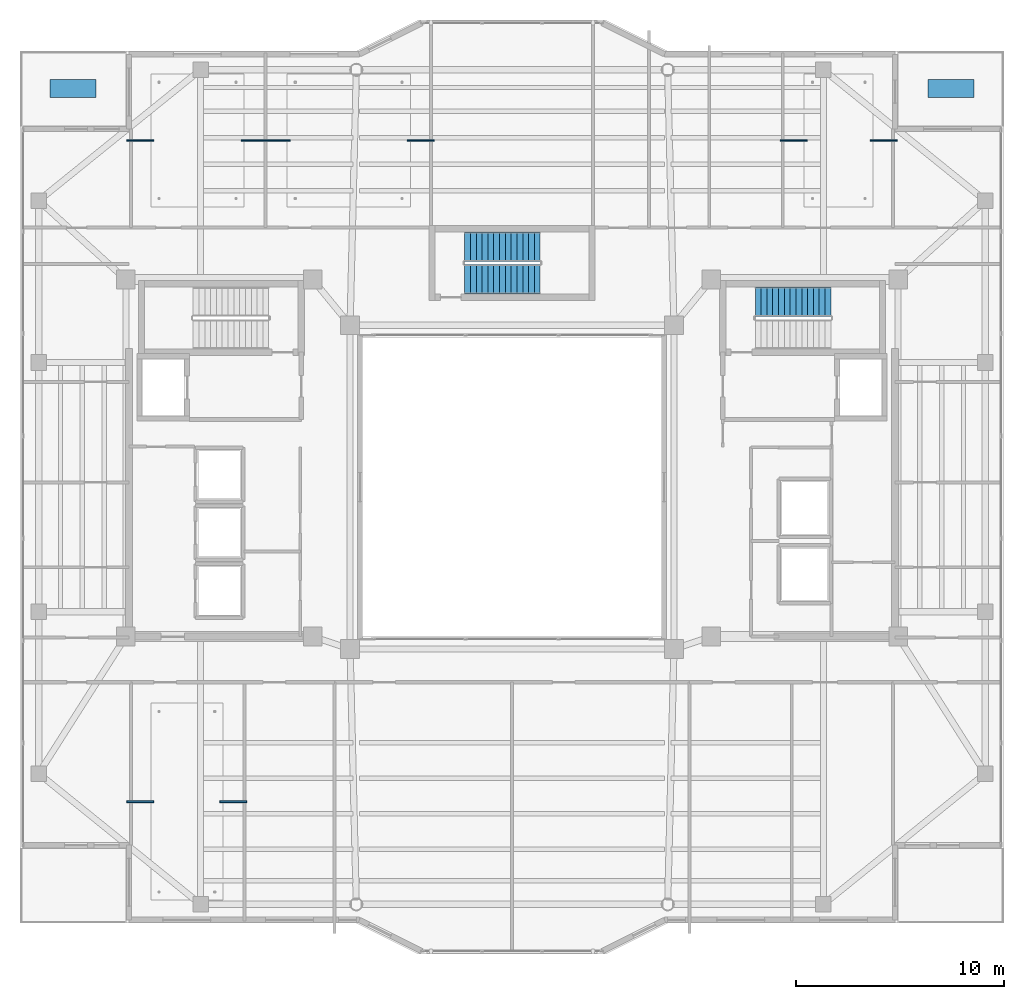
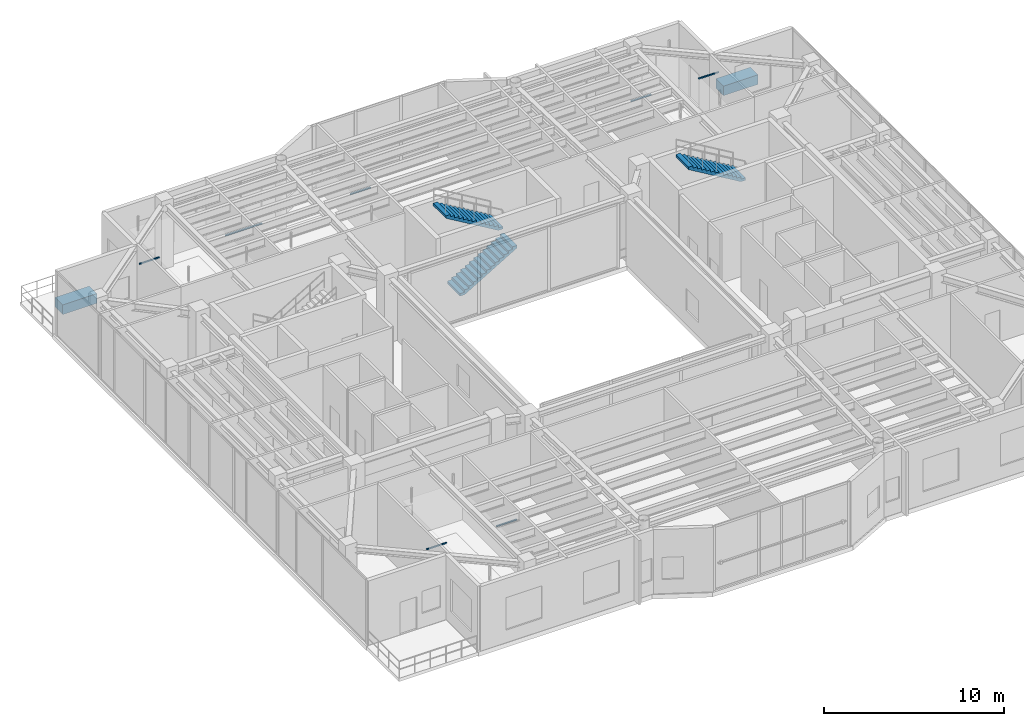
# One storey, part 27 of 34: 10 discrete accessories, 3 stair flights, 2 elements without a shape of their own.
"""IFC4 building model written with IfcOpenShell, lengths in metres."""

from ifc_helpers import new_model, si_unit, direction, frame, origin, origin_2d, place, context, subcontext, project, spatial, polyline, rectangle, outline, extrude, material, type_object, element, aggregate, save


model = new_model("IFC4")

# Units and contexts
model_context = context("Model", 3, precision=1e-05, world=origin(), true_north=direction((0.0, 1.0)))
body_context = subcontext(model_context, "Body", "Model", "MODEL_VIEW")
ifc_project = project(units=[si_unit("LENGTHUNIT", "METRE"), si_unit("AREAUNIT", "SQUARE_METRE"), si_unit("VOLUMEUNIT", "CUBIC_METRE"), si_unit("PLANEANGLEUNIT", "RADIAN"), si_unit("MASSUNIT", "GRAM", prefix="KILO")], contexts=[model_context])

# Site, building, storey
site_placement = place(None, origin())
site = spatial("IfcSite", under=ifc_project, at=site_placement, CompositionType="ELEMENT")
building_placement = place(site_placement, origin())
building = spatial("IfcBuilding", under=site, at=building_placement, Name="Tarnavaz Court Tower", CompositionType="ELEMENT")
storey_placement = place(building_placement, frame((0.0, 0.0, 231.75)))
storey = spatial("IfcBuildingStorey", under=building, at=storey_placement, Name="L63", CompositionType="ELEMENT", Elevation=231.75)

# Stair, stair flight
ifc_material_1 = material(Name="Concrete C40/50", Category="concrete")
stair_type = type_object("IfcStairType", Name="ST-TWR-28R", PredefinedType="HALF_TURN_STAIR", material=ifc_material_1)
stair_1_placement = place(storey_placement, origin())
stair_1 = element("IfcStair", 1, at=stair_1_placement, inside=storey, type_object=stair_type, Name="L63 East Core Pressurized Exit Stair ST-E1", PredefinedType="HALF_TURN_STAIR")
stair_flight_type = type_object("IfcStairFlightType", Name="SFL-RC-28R", PredefinedType="STRAIGHT", material=ifc_material_1)
stair_flight_1_placement = place(storey_placement, frame((15.360107421875, 8.929931640625, 2.324951171875), z_axis=(0.0, 0.0, 1.0), x_axis=(-1.0, 0.0, 0.0)))
stair_flight_1 = element("IfcStairFlight", 2, at=stair_flight_1_placement, type_object=stair_flight_type, Name="ST-E1 flight 2", NumberOfRisers=14, NumberOfTreads=13, PredefinedType="STRAIGHT", RiserHeight=0.166071429, TreadLength=0.28, context=body_context, shape_type="SweptSolid", body=[
    extrude(outline(polyline([(0.0, 0.0), (0.0, 0.166015625), (0.280029296875, 0.166015625), (0.280029296875, 0.33203125), (0.56005859375, 0.33203125), (0.56005859375, 0.498291015625), (0.840087890625, 0.498291015625), (0.840087890625, 0.664306640625), (1.1201171875, 0.664306640625), (1.1201171875, 0.830322265625), (1.39990234375, 0.830322265625), (1.39990234375, 0.996337890625), (1.679931640625, 0.996337890625), (1.679931640625, 1.16259765625), (1.9599609375, 1.16259765625), (1.9599609375, 1.32861328125), (2.239990234375, 1.32861328125), (2.239990234375, 1.49462890625), (2.52001953125, 1.49462890625), (2.52001953125, 1.66064453125), (2.800048828125, 1.66064453125), (2.800048828125, 1.826904296875), (3.080078125, 1.826904296875), (3.080078125, 1.992919921875), (3.360107421875, 1.992919921875), (3.360107421875, 2.158935546875), (3.639892578125, 2.158935546875), (3.639892578125, 2.324951171875), (3.639892578125, 1.984619140625), (0.2939453125, 0.0), (0.0, 0.0)])), frame((0.0, 0.7099609375, 0.0), z_axis=(0.0, -1.0, 0.0), x_axis=(1.0, 0.0, 0.0)), (0.0, 0.0, 1.0), 1.419921875),
])
aggregate(stair_1, [stair_flight_1])

# Stair, stair flights
stair_2_placement = place(storey_placement, origin())
stair_2 = element("IfcStair", 3, at=stair_2_placement, inside=storey, type_object=stair_type, Name="L63 North Ring Pressurized Exit Stair ST-N1", PredefinedType="HALF_TURN_STAIR")
stair_flight_2_placement = place(storey_placement, frame((-2.280029296875, 10.010009765625, 0.0), z_axis=(0.0, 0.0, 1.0), x_axis=(1.0, 0.0, 0.0)))
stair_flight_2 = element("IfcStairFlight", 4, at=stair_flight_2_placement, type_object=stair_flight_type, Name="ST-N1 flight 1", NumberOfRisers=14, NumberOfTreads=13, PredefinedType="STRAIGHT", RiserHeight=0.166071429, TreadLength=0.28, context=body_context, shape_type="SweptSolid", body=[
    extrude(outline(polyline([(0.0, 0.0), (0.0, 0.166015625), (0.280029296875, 0.166015625), (0.280029296875, 0.33203125), (0.56005859375, 0.33203125), (0.56005859375, 0.498291015625), (0.840087890625, 0.498291015625), (0.840087890625, 0.664306640625), (1.1201171875, 0.664306640625), (1.1201171875, 0.830322265625), (1.39990234375, 0.830322265625), (1.39990234375, 0.996337890625), (1.679931640625, 0.996337890625), (1.679931640625, 1.16259765625), (1.9599609375, 1.16259765625), (1.9599609375, 1.32861328125), (2.239990234375, 1.32861328125), (2.239990234375, 1.49462890625), (2.52001953125, 1.49462890625), (2.52001953125, 1.66064453125), (2.800048828125, 1.66064453125), (2.800048828125, 1.826904296875), (3.080078125, 1.826904296875), (3.080078125, 1.992919921875), (3.360107421875, 1.992919921875), (3.360107421875, 2.158935546875), (3.639892578125, 2.158935546875), (3.639892578125, 2.324951171875), (3.639892578125, 1.984619140625), (0.2939453125, 0.0), (0.0, 0.0)])), frame((0.0, 0.7099609375, 0.0), z_axis=(0.0, -1.0, 0.0), x_axis=(1.0, 0.0, 0.0)), (0.0, 0.0, 1.0), 1.419921875),
])
stair_flight_3_placement = place(storey_placement, frame((1.360107421875, 11.580078125, 2.324951171875), z_axis=(0.0, 0.0, 1.0), x_axis=(-1.0, 0.0, 0.0)))
stair_flight_3 = element("IfcStairFlight", 5, at=stair_flight_3_placement, type_object=stair_flight_type, Name="ST-N1 flight 2", NumberOfRisers=14, NumberOfTreads=13, PredefinedType="STRAIGHT", RiserHeight=0.166071429, TreadLength=0.28, context=body_context, shape_type="SweptSolid", body=[
    extrude(outline(polyline([(0.0, 0.0), (0.0, 0.166015625), (0.280029296875, 0.166015625), (0.280029296875, 0.33203125), (0.56005859375, 0.33203125), (0.56005859375, 0.498291015625), (0.840087890625, 0.498291015625), (0.840087890625, 0.664306640625), (1.1201171875, 0.664306640625), (1.1201171875, 0.830322265625), (1.39990234375, 0.830322265625), (1.39990234375, 0.996337890625), (1.679931640625, 0.996337890625), (1.679931640625, 1.16259765625), (1.9599609375, 1.16259765625), (1.9599609375, 1.32861328125), (2.239990234375, 1.32861328125), (2.239990234375, 1.49462890625), (2.52001953125, 1.49462890625), (2.52001953125, 1.66064453125), (2.800048828125, 1.66064453125), (2.800048828125, 1.826904296875), (3.080078125, 1.826904296875), (3.080078125, 1.992919921875), (3.360107421875, 1.992919921875), (3.360107421875, 2.158935546875), (3.639892578125, 2.158935546875), (3.639892578125, 2.324951171875), (3.639892578125, 1.984619140625), (0.2939453125, 0.0), (0.0, 0.0)])), frame((0.0, 0.7099609375, 0.0), z_axis=(0.0, -1.0, 0.0), x_axis=(1.0, 0.0, 0.0)), (0.0, 0.0, 1.0), 1.419921875),
])
aggregate(stair_2, [stair_flight_2, stair_flight_3])

# Discrete accessories
ifc_material_2 = material(Name="Anodised Aluminium 6063-T6", Category="aluminium")
discrete_accessory_type_1 = type_object("IfcDiscreteAccessoryType", Name="DA-BRKT-ALU", PredefinedType="BRACKET", material=ifc_material_2)
for number, where, z_axis, x_axis, name in (
    (6, (-17.89990234375, 16.699951171875, 3.3525390625), (0.0, 0.0, 1.0), (1.0, 0.0, 0.0), "L63 Ceiling Perimeter Wall-Tie Bracket 01-1"),
    (7, (-12.39990234375, 16.699951171875, 3.3525390625), (0.0, 0.0, 1.0), (1.0, 0.0, 0.0), "L63 Ceiling Perimeter Wall-Tie Bracket 01-2"),
    (8, (-11.340087890625, 16.699951171875, 3.3525390625), (0.0, 0.0, 1.0), (1.0, 0.0, 0.0), "L63 Ceiling Perimeter Wall-Tie Bracket 02-1"),
    (9, (-4.39990234375, 16.699951171875, 3.3525390625), (0.0, 0.0, 1.0), (1.0, 0.0, 0.0), "L63 Ceiling Perimeter Wall-Tie Bracket 02-2"),
    (10, (13.570068359375, 16.699951171875, 3.3525390625), (0.0, 0.0, 1.0), (1.0, 0.0, 0.0), "L63 Ceiling Perimeter Wall-Tie Bracket 03-1"),
    (11, (17.89990234375, 16.699951171875, 3.3525390625), (0.0, 0.0, 1.0), (1.0, 0.0, 0.0), "L63 Ceiling Perimeter Wall-Tie Bracket 03-2"),
    (12, (-17.89990234375, -15.155029296875, 3.3525390625), (0.0, 0.0, 1.0), (1.0, 0.0, 0.0), "L63 Ceiling Perimeter Wall-Tie Bracket 04-1"),
    (13, (-13.419921875, -15.155029296875, 3.3525390625), (0.0, 0.0, 1.0), (1.0, 0.0, 0.0), "L63 Ceiling Perimeter Wall-Tie Bracket 04-2"),
):
    element("IfcDiscreteAccessory", number, at=place(storey_placement, frame(where, z_axis=z_axis, x_axis=x_axis)), inside=storey, type_object=discrete_accessory_type_1, Name=name, PredefinedType="BRACKET", context=body_context, shape_type="SweptSolid", body=[
        extrude(rectangle(XDim=1.300048828125, YDim=0.080078125, at=origin_2d()), origin(), (0.0, 0.0, 1.0), 0.080078125),
    ])
ifc_material_3 = material(Name="Terracotta Architectural Planter Trough", Category="masonry")
discrete_accessory_type_2 = type_object("IfcDiscreteAccessoryType", Name="DA-PLANTER-TC", PredefinedType="USERDEFINED", material=ifc_material_3)
for number, where, z_axis, x_axis, name in (
    (14, (21.14990234375, 19.199951171875, 0.0), (0.0, 0.0, 1.0), (1.0, 0.0, 0.0), "L63 Chahar-Bagh Terracotta Landscape Planter 1"),
    (15, (-21.14990234375, 19.199951171875, 0.0), (0.0, 0.0, 1.0), (1.0, 0.0, 0.0), "L63 Chahar-Bagh Terracotta Landscape Planter 2"),
):
    element("IfcDiscreteAccessory", number, at=place(storey_placement, frame(where, z_axis=z_axis, x_axis=x_axis)), inside=storey, type_object=discrete_accessory_type_2, Name=name, ObjectType="PLANTER", PredefinedType="USERDEFINED", context=body_context, shape_type="SweptSolid", body=[
        extrude(rectangle(XDim=2.199951171875, YDim=0.85009765625, at=origin_2d()), origin(), (0.0, 0.0, 1.0), 0.64990234375),
    ])

save(model, "model.ifc")
